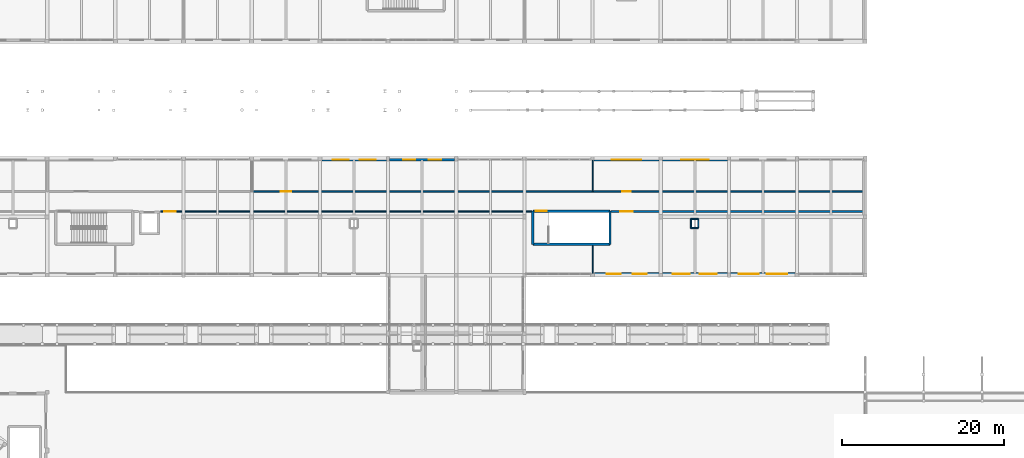
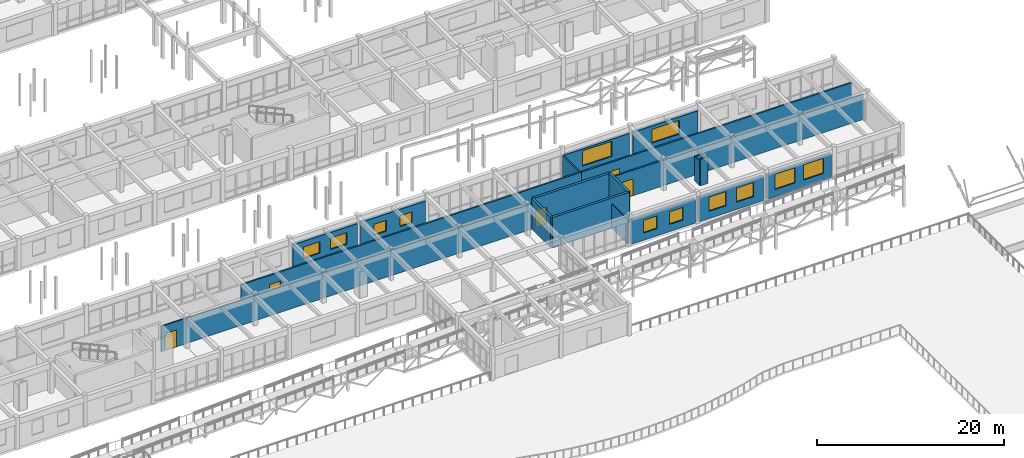
# One storey, part 70 of 90: 21 walls, 12 windows, 5 doors, 17 openings.
"""IFC4 building model written with IfcOpenShell, lengths in metres."""

from ifc_helpers import new_model, si_unit, direction, frame, frame_2d, origin, place, context, subcontext, project, spatial, rectangle, extrude, material, layer, layer_set, type_object, element, fill, save


model = new_model("IFC4")

# Units and contexts
model_context = context("Model", 3, precision=1e-05, world=origin(), true_north=direction((0.0, 1.0)))
body_context = subcontext(model_context, "Body", "Model", "MODEL_VIEW")
ifc_project = project(units=[si_unit("LENGTHUNIT", "METRE"), si_unit("AREAUNIT", "SQUARE_METRE"), si_unit("VOLUMEUNIT", "CUBIC_METRE"), si_unit("PLANEANGLEUNIT", "RADIAN"), si_unit("MASSUNIT", "GRAM", prefix="KILO")], contexts=[model_context])

# Site, building, storey
site_placement = place(None, origin())
site = spatial("IfcSite", under=ifc_project, at=site_placement, CompositionType="ELEMENT")
building_placement = place(site_placement, origin())
building = spatial("IfcBuilding", under=site, at=building_placement, Name="Malvenik Polytechnic", CompositionType="ELEMENT")
storey_placement = place(building_placement, frame((0.0, 0.0, 9.300048828125)))
storey = spatial("IfcBuildingStorey", under=building, at=storey_placement, Name="L02", CompositionType="ELEMENT", Elevation=9.300048828125)

# Wall
ifc_material_1 = material(Name="Concrete C35/45", Category="concrete")
ifc_layer_1 = layer(ifc_material_1, 0.300048828125)
ifc_layer_set_1 = layer_set([ifc_layer_1], Name="Concrete C35/45")
wall_type_1 = type_object("IfcWallType", Name="ARC-CW-S300", PredefinedType="SHEAR", material=ifc_layer_set_1)
wall_1_placement = place(storey_placement, frame((93.449951171875, 54.199951171875, 0.0), z_axis=(0.0, 0.0, 1.0), x_axis=(0.0, 1.0, 0.0)))
element("IfcWall", 1, at=wall_1_placement, inside=storey, type_object=wall_type_1, Name="Stair Core Shear Wall ST-07 L02 NEAR", PredefinedType="SHEAR", context=body_context, shape_type="SweptSolid", body=[
    extrude(rectangle(XDim=4.10009765625, YDim=0.300048828125, at=frame_2d((2.050048828125, 0.0))), origin(), (0.0, 0.0, 1.0), 3.93994140625),
])

# Wall, opening, door
wall_2_placement = place(storey_placement, frame((93.449951171875, 58.300048828125, 0.0), z_axis=(0.0, 0.0, 1.0), x_axis=(1.0, 0.0, 0.0)))
wall_2 = element("IfcWall", 2, at=wall_2_placement, inside=storey, type_object=wall_type_1, Name="Stair Core Shear Wall ST-07 L02 RGHT", PredefinedType="SHEAR", context=body_context, shape_type="SweptSolid", body=[
    extrude(rectangle(XDim=9.5, YDim=0.300048828125, at=frame_2d((4.75, 0.0))), origin(), (0.0, 0.0, 1.0), 3.93994140625),
])
opening_1_placement = place(wall_2_placement, frame((0.35009765625, 0.0, 0.0)))
opening_1 = element("IfcOpeningElement", 3, at=opening_1_placement, cuts=wall_2, Name="Opening SD-01", PredefinedType="OPENING", context=body_context, shape_type="SweptSolid", body=[
    extrude(rectangle(XDim=1.35009765625, YDim=2.199951171875, at=frame_2d((0.675048828125, 1.10009765625))), frame((0.0, 0.16015625, 0.0), z_axis=(0.0, -1.0, 0.0), x_axis=(1.0, 0.0, 0.0)), (0.0, 0.0, 1.0), 0.320068359375),
])
ifc_material_2 = material(Name="Fire-rated steel stair enclosure door", Category="steel")
door_type_1 = type_object("IfcDoorType", Name="ARC-IDR-SD-01", OperationType="NOTDEFINED", PredefinedType="DOOR", material=ifc_material_2)
door_1_placement = place(opening_1_placement, origin())
door_1 = element("IfcDoor", 4, at=door_1_placement, inside=storey, type_object=door_type_1, Name="Fire Stair Door ST-07 L02", OperationType="SINGLE_SWING_LEFT", OverallHeight=2.199951171875, OverallWidth=1.35009765625, PredefinedType="DOOR", context=body_context, shape_type="SweptSolid", body=[
    extrude(rectangle(XDim=1.35009765625, YDim=2.199951171875, at=frame_2d((0.675048828125, 1.10009765625))), frame((0.0, 0.02490234375, 0.0), z_axis=(0.0, -1.0, 0.0), x_axis=(1.0, 0.0, 0.0)), (0.0, 0.0, 1.0), 0.050048828125),
])
fill(opening_1, door_1)

# Walls
wall_3_placement = place(storey_placement, frame((102.949951171875, 58.300048828125, 0.0), z_axis=(0.0, 0.0, 1.0), x_axis=(0.0, -1.0, 0.0)))
element("IfcWall", 5, at=wall_3_placement, inside=storey, type_object=wall_type_1, Name="Stair Core Shear Wall ST-07 L02 FAR", PredefinedType="SHEAR", context=body_context, shape_type="SweptSolid", body=[
    extrude(rectangle(XDim=4.10009765625, YDim=0.300048828125, at=frame_2d((2.050048828125, 0.0))), origin(), (0.0, 0.0, 1.0), 3.93994140625),
])
wall_4_placement = place(storey_placement, frame((102.949951171875, 54.199951171875, 0.0), z_axis=(0.0, 0.0, 1.0), x_axis=(-1.0, 0.0, 0.0)))
element("IfcWall", 6, at=wall_4_placement, inside=storey, type_object=wall_type_1, Name="Stair Core Shear Wall ST-07 L02 LEFT", PredefinedType="SHEAR", context=body_context, shape_type="SweptSolid", body=[
    extrude(rectangle(XDim=9.5, YDim=0.300048828125, at=frame_2d((4.75, 0.0))), origin(), (0.0, 0.0, 1.0), 3.93994140625),
])

# Wall, openings, windows
ifc_material_3 = material(Name="Concrete C30/37", Category="concrete")
ifc_layer_2 = layer(ifc_material_3, 0.340087890625)
ifc_layer_set_2 = layer_set([ifc_layer_2], Name="Concrete C30/37")
wall_type_2 = type_object("IfcWallType", Name="ARC-EW-340", PredefinedType="SOLIDWALL", material=ifc_layer_set_2)
wall_5_placement = place(storey_placement, frame((67.447998046875, 64.6298828125, 0.0), z_axis=(0.0, 0.0, 1.0), x_axis=(1.0, 0.0, 0.0)))
wall_5 = element("IfcWall", 7, at=wall_5_placement, inside=storey, type_object=wall_type_2, Name="External Facade Wall EW-02 L02 #284", PredefinedType="SOLIDWALL", context=body_context, shape_type="SweptSolid", body=[
    extrude(rectangle(XDim=7.9541015625, YDim=0.340087890625, at=frame_2d((3.97705078125, 0.0))), origin(), (0.0, 0.0, 1.0), 3.179931640625),
])
opening_2_placement = place(wall_5_placement, frame((1.318115234375, 0.0, 0.949951171875)))
opening_2 = element("IfcOpeningElement", 8, at=opening_2_placement, cuts=wall_5, Name="Opening W-13", PredefinedType="OPENING", context=body_context, shape_type="SweptSolid", body=[
    extrude(rectangle(XDim=2.0, YDim=1.5, at=frame_2d((1.0, 0.75))), frame((0.0, 0.18017578125, 0.0), z_axis=(0.0, -1.0, 0.0), x_axis=(1.0, 0.0, 0.0)), (0.0, 0.0, 1.0), 0.360107421875),
])
opening_3_placement = place(wall_5_placement, frame((4.635986328125, 0.0, 0.949951171875)))
opening_3 = element("IfcOpeningElement", 9, at=opening_3_placement, cuts=wall_5, Name="Opening W-13", PredefinedType="OPENING", context=body_context, shape_type="SweptSolid", body=[
    extrude(rectangle(XDim=2.0, YDim=1.5, at=frame_2d((1.0, 0.75))), frame((0.0, 0.18017578125, 0.0), z_axis=(0.0, -1.0, 0.0), x_axis=(1.0, 0.0, 0.0)), (0.0, 0.0, 1.0), 0.360107421875),
])
ifc_material_4 = material(Name="Thermally broken aluminium frame with low-E double glazing", Category="aluminium")
window_type_1 = type_object("IfcWindowType", Name="ARC-WIN-W-13", PartitioningType="SINGLE_PANEL", PredefinedType="WINDOW", material=ifc_material_4)
window_1_placement = place(opening_2_placement, origin())
window_1 = element("IfcWindow", 10, at=window_1_placement, inside=storey, type_object=window_type_1, Name="Punched Window W-13 L02 #253", OverallHeight=1.5, OverallWidth=2.0, PartitioningType="SINGLE_PANEL", PredefinedType="WINDOW", context=body_context, shape_type="SweptSolid", body=[
    extrude(rectangle(XDim=2.0, YDim=1.5, at=frame_2d((1.0, 0.75))), frame((0.0, 0.030029296875, 0.0), z_axis=(0.0, -1.0, 0.0), x_axis=(1.0, 0.0, 0.0)), (0.0, 0.0, 1.0), 0.06005859375),
])
fill(opening_2, window_1)
window_2_placement = place(opening_3_placement, origin())
window_2 = element("IfcWindow", 11, at=window_2_placement, inside=storey, type_object=window_type_1, Name="Punched Window W-13 L02 #254", OverallHeight=1.5, OverallWidth=2.0, PartitioningType="SINGLE_PANEL", PredefinedType="WINDOW", context=body_context, shape_type="SweptSolid", body=[
    extrude(rectangle(XDim=2.0, YDim=1.5, at=frame_2d((1.0, 0.75))), frame((0.0, 0.030029296875, 0.0), z_axis=(0.0, -1.0, 0.0), x_axis=(1.0, 0.0, 0.0)), (0.0, 0.0, 1.0), 0.06005859375),
])
fill(opening_3, window_2)

wall_6_placement = place(storey_placement, frame((75.798095703125, 64.6298828125, 0.0), z_axis=(0.0, 0.0, 1.0), x_axis=(1.0, 0.0, 0.0)))
wall_6 = element("IfcWall", 12, at=wall_6_placement, inside=storey, type_object=wall_type_2, Name="External Facade Wall EW-02 L02 #285", PredefinedType="SOLIDWALL", context=body_context, shape_type="SweptSolid", body=[
    extrude(rectangle(XDim=8.00390625, YDim=0.340087890625, at=frame_2d((4.001953125, 0.0))), origin(), (0.0, 0.0, 1.0), 3.179931640625),
])
opening_4_placement = place(wall_6_placement, frame((1.66796875, 0.0, 0.949951171875)))
opening_4 = element("IfcOpeningElement", 13, at=opening_4_placement, cuts=wall_6, Name="Opening W-15", PredefinedType="OPENING", context=body_context, shape_type="SweptSolid", body=[
    extrude(rectangle(XDim=1.5, YDim=1.39990234375, at=frame_2d((0.75, 0.699951171875))), frame((0.0, 0.18017578125, 0.0), z_axis=(0.0, -1.0, 0.0), x_axis=(1.0, 0.0, 0.0)), (0.0, 0.0, 1.0), 0.360107421875),
])
opening_5_placement = place(wall_6_placement, frame((4.8359375, 0.0, 0.949951171875)))
opening_5 = element("IfcOpeningElement", 14, at=opening_5_placement, cuts=wall_6, Name="Opening W-15", PredefinedType="OPENING", context=body_context, shape_type="SweptSolid", body=[
    extrude(rectangle(XDim=1.5, YDim=1.39990234375, at=frame_2d((0.75, 0.699951171875))), frame((0.0, 0.18017578125, 0.0), z_axis=(0.0, -1.0, 0.0), x_axis=(1.0, 0.0, 0.0)), (0.0, 0.0, 1.0), 0.360107421875),
])
window_type_2 = type_object("IfcWindowType", Name="ARC-WIN-W-15", PartitioningType="SINGLE_PANEL", PredefinedType="WINDOW", material=ifc_material_4)
window_3_placement = place(opening_4_placement, origin())
window_3 = element("IfcWindow", 15, at=window_3_placement, inside=storey, type_object=window_type_2, Name="Punched Window W-15 L02 #255", OverallHeight=1.39990234375, OverallWidth=1.5, PartitioningType="SINGLE_PANEL", PredefinedType="WINDOW", context=body_context, shape_type="SweptSolid", body=[
    extrude(rectangle(XDim=1.5, YDim=1.39990234375, at=frame_2d((0.75, 0.699951171875))), frame((0.0, 0.030029296875, 0.0), z_axis=(0.0, -1.0, 0.0), x_axis=(1.0, 0.0, 0.0)), (0.0, 0.0, 1.0), 0.06005859375),
])
fill(opening_4, window_3)
window_4_placement = place(opening_5_placement, origin())
window_4 = element("IfcWindow", 16, at=window_4_placement, inside=storey, type_object=window_type_2, Name="Punched Window W-15 L02 #256", OverallHeight=1.39990234375, OverallWidth=1.5, PartitioningType="SINGLE_PANEL", PredefinedType="WINDOW", context=body_context, shape_type="SweptSolid", body=[
    extrude(rectangle(XDim=1.5, YDim=1.39990234375, at=frame_2d((0.75, 0.699951171875))), frame((0.0, 0.030029296875, 0.0), z_axis=(0.0, -1.0, 0.0), x_axis=(1.0, 0.0, 0.0)), (0.0, 0.0, 1.0), 0.06005859375),
])
fill(opening_5, window_4)

# Wall, opening, window
wall_7_placement = place(storey_placement, frame((100.998046875, 64.6298828125, 0.0), z_axis=(0.0, 0.0, 1.0), x_axis=(1.0, 0.0, 0.0)))
wall_7 = element("IfcWall", 17, at=wall_7_placement, inside=storey, type_object=wall_type_2, Name="External Facade Wall EW-02 L02 #286", PredefinedType="SOLIDWALL", context=body_context, shape_type="SweptSolid", body=[
    extrude(rectangle(XDim=7.97900390625, YDim=0.340087890625, at=frame_2d((3.989501953125, 0.0))), origin(), (0.0, 0.0, 1.0), 3.179931640625),
])
opening_6_placement = place(wall_7_placement, frame((2.189453125, 0.0, 0.949951171875)))
opening_6 = element("IfcOpeningElement", 18, at=opening_6_placement, cuts=wall_7, Name="Opening W-17", PredefinedType="OPENING", context=body_context, shape_type="SweptSolid", body=[
    extrude(rectangle(XDim=3.60009765625, YDim=1.97998046875, at=frame_2d((1.800048828125, 0.989990234375))), frame((0.0, 0.18017578125, 0.0), z_axis=(0.0, -1.0, 0.0), x_axis=(1.0, 0.0, 0.0)), (0.0, 0.0, 1.0), 0.360107421875),
])
window_type_3 = type_object("IfcWindowType", Name="ARC-WIN-W-17", PartitioningType="SINGLE_PANEL", PredefinedType="WINDOW", material=ifc_material_4)
window_5_placement = place(opening_6_placement, origin())
window_5 = element("IfcWindow", 19, at=window_5_placement, inside=storey, type_object=window_type_3, Name="Punched Window W-17 L02 #257", OverallHeight=1.97998046875, OverallWidth=3.60009765625, PartitioningType="SINGLE_PANEL", PredefinedType="WINDOW", context=body_context, shape_type="SweptSolid", body=[
    extrude(rectangle(XDim=3.60009765625, YDim=1.97998046875, at=frame_2d((1.800048828125, 0.989990234375))), frame((0.0, 0.030029296875, 0.0), z_axis=(0.0, -1.0, 0.0), x_axis=(1.0, 0.0, 0.0)), (0.0, 0.0, 1.0), 0.06005859375),
])
fill(opening_6, window_5)

wall_8_placement = place(storey_placement, frame((109.423095703125, 64.6298828125, 0.0), z_axis=(0.0, 0.0, 1.0), x_axis=(1.0, 0.0, 0.0)))
wall_8 = element("IfcWall", 20, at=wall_8_placement, inside=storey, type_object=wall_type_2, Name="External Facade Wall EW-02 L02 #287", PredefinedType="SOLIDWALL", context=body_context, shape_type="SweptSolid", body=[
    extrude(rectangle(XDim=7.97900390625, YDim=0.340087890625, at=frame_2d((3.989501953125, 0.0))), origin(), (0.0, 0.0, 1.0), 3.179931640625),
])
opening_7_placement = place(wall_8_placement, frame((2.28955078125, 0.0, 0.949951171875)))
opening_7 = element("IfcOpeningElement", 21, at=opening_7_placement, cuts=wall_8, Name="Opening W-18", PredefinedType="OPENING", context=body_context, shape_type="SweptSolid", body=[
    extrude(rectangle(XDim=3.39990234375, YDim=1.800048828125, at=frame_2d((1.699951171875, 0.89990234375))), frame((0.0, 0.18017578125, 0.0), z_axis=(0.0, -1.0, 0.0), x_axis=(1.0, 0.0, 0.0)), (0.0, 0.0, 1.0), 0.360107421875),
])
window_type_4 = type_object("IfcWindowType", Name="ARC-WIN-W-18", PartitioningType="SINGLE_PANEL", PredefinedType="WINDOW", material=ifc_material_4)
window_6_placement = place(opening_7_placement, origin())
window_6 = element("IfcWindow", 22, at=window_6_placement, inside=storey, type_object=window_type_4, Name="Punched Window W-18 L02 #258", OverallHeight=1.800048828125, OverallWidth=3.39990234375, PartitioningType="SINGLE_PANEL", PredefinedType="WINDOW", context=body_context, shape_type="SweptSolid", body=[
    extrude(rectangle(XDim=3.39990234375, YDim=1.800048828125, at=frame_2d((1.699951171875, 0.89990234375))), frame((0.0, 0.030029296875, 0.0), z_axis=(0.0, -1.0, 0.0), x_axis=(1.0, 0.0, 0.0)), (0.0, 0.0, 1.0), 0.06005859375),
])
fill(opening_7, window_6)

# Wall, openings, windows
wall_9_placement = place(storey_placement, frame((125.777099609375, 50.570068359375, 0.0), z_axis=(0.0, 0.0, 1.0), x_axis=(-1.0, 0.0, 0.0)))
wall_9 = element("IfcWall", 23, at=wall_9_placement, inside=storey, type_object=wall_type_2, Name="External Facade Wall EW-02 L02 #291", PredefinedType="SOLIDWALL", context=body_context, shape_type="SweptSolid", body=[
    extrude(rectangle(XDim=7.97900390625, YDim=0.340087890625, at=frame_2d((3.989501953125, 0.0))), origin(), (0.0, 0.0, 1.0), 3.179931640625),
])
opening_8_placement = place(wall_9_placement, frame((0.992919921875, 0.0, 0.949951171875)))
opening_8 = element("IfcOpeningElement", 24, at=opening_8_placement, cuts=wall_9, Name="Opening W-21", PredefinedType="OPENING", context=body_context, shape_type="SweptSolid", body=[
    extrude(rectangle(XDim=2.5, YDim=1.97998046875, at=frame_2d((1.25, 0.989990234375))), frame((0.0, 0.18017578125, 0.0), z_axis=(0.0, -1.0, 0.0), x_axis=(1.0, 0.0, 0.0)), (0.0, 0.0, 1.0), 0.360107421875),
])
opening_9_placement = place(wall_9_placement, frame((4.486083984375, 0.0, 0.949951171875)))
opening_9 = element("IfcOpeningElement", 25, at=opening_9_placement, cuts=wall_9, Name="Opening W-21", PredefinedType="OPENING", context=body_context, shape_type="SweptSolid", body=[
    extrude(rectangle(XDim=2.5, YDim=1.97998046875, at=frame_2d((1.25, 0.989990234375))), frame((0.0, 0.18017578125, 0.0), z_axis=(0.0, -1.0, 0.0), x_axis=(1.0, 0.0, 0.0)), (0.0, 0.0, 1.0), 0.360107421875),
])
window_type_5 = type_object("IfcWindowType", Name="ARC-WIN-W-21", PartitioningType="SINGLE_PANEL", PredefinedType="WINDOW", material=ifc_material_4)
window_7_placement = place(opening_8_placement, origin())
window_7 = element("IfcWindow", 26, at=window_7_placement, inside=storey, type_object=window_type_5, Name="Punched Window W-21 L02 #261", OverallHeight=1.97998046875, OverallWidth=2.5, PartitioningType="SINGLE_PANEL", PredefinedType="WINDOW", context=body_context, shape_type="SweptSolid", body=[
    extrude(rectangle(XDim=2.5, YDim=1.97998046875, at=frame_2d((1.25, 0.989990234375))), frame((0.0, 0.030029296875, 0.0), z_axis=(0.0, -1.0, 0.0), x_axis=(1.0, 0.0, 0.0)), (0.0, 0.0, 1.0), 0.06005859375),
])
fill(opening_8, window_7)
window_8_placement = place(opening_9_placement, origin())
window_8 = element("IfcWindow", 27, at=window_8_placement, inside=storey, type_object=window_type_5, Name="Punched Window W-21 L02 #262", OverallHeight=1.97998046875, OverallWidth=2.5, PartitioningType="SINGLE_PANEL", PredefinedType="WINDOW", context=body_context, shape_type="SweptSolid", body=[
    extrude(rectangle(XDim=2.5, YDim=1.97998046875, at=frame_2d((1.25, 0.989990234375))), frame((0.0, 0.030029296875, 0.0), z_axis=(0.0, -1.0, 0.0), x_axis=(1.0, 0.0, 0.0)), (0.0, 0.0, 1.0), 0.06005859375),
])
fill(opening_9, window_8)

wall_10_placement = place(storey_placement, frame((117.402099609375, 50.570068359375, 0.0), z_axis=(0.0, 0.0, 1.0), x_axis=(-1.0, 0.0, 0.0)))
wall_10 = element("IfcWall", 28, at=wall_10_placement, inside=storey, type_object=wall_type_2, Name="External Facade Wall EW-02 L02 #292", PredefinedType="SOLIDWALL", context=body_context, shape_type="SweptSolid", body=[
    extrude(rectangle(XDim=8.004150390625, YDim=0.340087890625, at=frame_2d((4.001953125, 0.0))), origin(), (0.0, 0.0, 1.0), 3.179931640625),
])
opening_10_placement = place(wall_10_placement, frame((1.26806640625, 0.0, 0.949951171875)))
opening_10 = element("IfcOpeningElement", 29, at=opening_10_placement, cuts=wall_10, Name="Opening W-23", PredefinedType="OPENING", context=body_context, shape_type="SweptSolid", body=[
    extrude(rectangle(XDim=2.10009765625, YDim=1.85009765625, at=frame_2d((1.050048828125, 0.925048828125))), frame((0.0, 0.18017578125, 0.0), z_axis=(0.0, -1.0, 0.0), x_axis=(1.0, 0.0, 0.0)), (0.0, 0.0, 1.0), 0.360107421875),
])
opening_11_placement = place(wall_10_placement, frame((4.635986328125, 0.0, 0.949951171875)))
opening_11 = element("IfcOpeningElement", 30, at=opening_11_placement, cuts=wall_10, Name="Opening W-23", PredefinedType="OPENING", context=body_context, shape_type="SweptSolid", body=[
    extrude(rectangle(XDim=2.10009765625, YDim=1.85009765625, at=frame_2d((1.050048828125, 0.925048828125))), frame((0.0, 0.18017578125, 0.0), z_axis=(0.0, -1.0, 0.0), x_axis=(1.0, 0.0, 0.0)), (0.0, 0.0, 1.0), 0.360107421875),
])
window_type_6 = type_object("IfcWindowType", Name="ARC-WIN-W-23", PartitioningType="SINGLE_PANEL", PredefinedType="WINDOW", material=ifc_material_4)
window_9_placement = place(opening_10_placement, origin())
window_9 = element("IfcWindow", 31, at=window_9_placement, inside=storey, type_object=window_type_6, Name="Punched Window W-23 L02 #263", OverallHeight=1.85009765625, OverallWidth=2.10009765625, PartitioningType="SINGLE_PANEL", PredefinedType="WINDOW", context=body_context, shape_type="SweptSolid", body=[
    extrude(rectangle(XDim=2.10009765625, YDim=1.85009765625, at=frame_2d((1.050048828125, 0.925048828125))), frame((0.0, 0.030029296875, 0.0), z_axis=(0.0, -1.0, 0.0), x_axis=(1.0, 0.0, 0.0)), (0.0, 0.0, 1.0), 0.06005859375),
])
fill(opening_10, window_9)
window_10_placement = place(opening_11_placement, origin())
window_10 = element("IfcWindow", 32, at=window_10_placement, inside=storey, type_object=window_type_6, Name="Punched Window W-23 L02 #264", OverallHeight=1.85009765625, OverallWidth=2.10009765625, PartitioningType="SINGLE_PANEL", PredefinedType="WINDOW", context=body_context, shape_type="SweptSolid", body=[
    extrude(rectangle(XDim=2.10009765625, YDim=1.85009765625, at=frame_2d((1.050048828125, 0.925048828125))), frame((0.0, 0.030029296875, 0.0), z_axis=(0.0, -1.0, 0.0), x_axis=(1.0, 0.0, 0.0)), (0.0, 0.0, 1.0), 0.06005859375),
])
fill(opening_11, window_10)

wall_11_placement = place(storey_placement, frame((109.001953125, 50.570068359375, 0.0), z_axis=(0.0, 0.0, 1.0), x_axis=(-1.0, 0.0, 0.0)))
wall_11 = element("IfcWall", 33, at=wall_11_placement, inside=storey, type_object=wall_type_2, Name="External Facade Wall EW-02 L02 #293", PredefinedType="SOLIDWALL", context=body_context, shape_type="SweptSolid", body=[
    extrude(rectangle(XDim=7.97900390625, YDim=0.340087890625, at=frame_2d((3.989501953125, 0.0))), origin(), (0.0, 0.0, 1.0), 3.179931640625),
])
opening_12_placement = place(wall_11_placement, frame((1.5263671875, 0.0, 0.949951171875)))
opening_12 = element("IfcOpeningElement", 34, at=opening_12_placement, cuts=wall_11, Name="Opening W-25", PredefinedType="OPENING", context=body_context, shape_type="SweptSolid", body=[
    extrude(rectangle(XDim=1.699951171875, YDim=1.64990234375, at=frame_2d((0.85009765625, 0.824951171875))), frame((0.0, 0.18017578125, 0.0), z_axis=(0.0, -1.0, 0.0), x_axis=(1.0, 0.0, 0.0)), (0.0, 0.0, 1.0), 0.360107421875),
])
opening_13_placement = place(wall_11_placement, frame((4.752685546875, 0.0, 0.949951171875)))
opening_13 = element("IfcOpeningElement", 35, at=opening_13_placement, cuts=wall_11, Name="Opening W-25", PredefinedType="OPENING", context=body_context, shape_type="SweptSolid", body=[
    extrude(rectangle(XDim=1.699951171875, YDim=1.64990234375, at=frame_2d((0.85009765625, 0.824951171875))), frame((0.0, 0.18017578125, 0.0), z_axis=(0.0, -1.0, 0.0), x_axis=(1.0, 0.0, 0.0)), (0.0, 0.0, 1.0), 0.360107421875),
])
window_type_7 = type_object("IfcWindowType", Name="ARC-WIN-W-25", PartitioningType="SINGLE_PANEL", PredefinedType="WINDOW", material=ifc_material_4)
window_11_placement = place(opening_12_placement, origin())
window_11 = element("IfcWindow", 36, at=window_11_placement, inside=storey, type_object=window_type_7, Name="Punched Window W-25 L02 #265", OverallHeight=1.64990234375, OverallWidth=1.699951171875, PartitioningType="SINGLE_PANEL", PredefinedType="WINDOW", context=body_context, shape_type="SweptSolid", body=[
    extrude(rectangle(XDim=1.699951171875, YDim=1.64990234375, at=frame_2d((0.85009765625, 0.824951171875))), frame((0.0, 0.030029296875, 0.0), z_axis=(0.0, -1.0, 0.0), x_axis=(1.0, 0.0, 0.0)), (0.0, 0.0, 1.0), 0.06005859375),
])
fill(opening_12, window_11)
window_12_placement = place(opening_13_placement, origin())
window_12 = element("IfcWindow", 37, at=window_12_placement, inside=storey, type_object=window_type_7, Name="Punched Window W-25 L02 #266", OverallHeight=1.64990234375, OverallWidth=1.699951171875, PartitioningType="SINGLE_PANEL", PredefinedType="WINDOW", context=body_context, shape_type="SweptSolid", body=[
    extrude(rectangle(XDim=1.699951171875, YDim=1.64990234375, at=frame_2d((0.85009765625, 0.824951171875))), frame((0.0, 0.030029296875, 0.0), z_axis=(0.0, -1.0, 0.0), x_axis=(1.0, 0.0, 0.0)), (0.0, 0.0, 1.0), 0.06005859375),
])
fill(opening_13, window_12)

# Wall, opening, door
ifc_material_5 = material(Name="Calcium silicate fire-rated blockwork 200mm", Category="masonry")
ifc_layer_3 = layer(ifc_material_5, 0.199951171875)
ifc_layer_set_3 = layer_set([ifc_layer_3], Name="Calcium silicate fire-rated blockwork 200mm")
wall_type_3 = type_object("IfcWallType", Name="ARC-FW-200", PredefinedType="SOLIDWALL", material=ifc_layer_set_3)
wall_12_placement = place(storey_placement, frame((58.800048828125, 60.699951171875, 0.0), z_axis=(0.0, 0.0, 1.0), x_axis=(1.0, 0.0, 0.0)))
wall_12 = element("IfcWall", 38, at=wall_12_placement, inside=storey, type_object=wall_type_3, Name="Interior Partition FW-02 L02 #288", PredefinedType="SOLIDWALL", context=body_context, shape_type="SweptSolid", body=[
    extrude(rectangle(XDim=42.0, YDim=0.199951171875, at=frame_2d((21.0, 0.0))), origin(), (0.0, 0.0, 1.0), 3.324951171875),
])
opening_14_placement = place(wall_12_placement, frame((3.550048828125, 0.0, 0.0)))
opening_14 = element("IfcOpeningElement", 39, at=opening_14_placement, cuts=wall_12, Name="Opening FD-04", PredefinedType="OPENING", context=body_context, shape_type="SweptSolid", body=[
    extrude(rectangle(XDim=1.300048828125, YDim=2.14990234375, at=frame_2d((0.64990234375, 1.074951171875))), frame((0.0, 0.10986328125, 0.0), z_axis=(0.0, -1.0, 0.0), x_axis=(1.0, 0.0, 0.0)), (0.0, 0.0, 1.0), 0.219970703125),
])
ifc_material_6 = material(Name="Fire-rated plant room steel door", Category="steel")
door_type_2 = type_object("IfcDoorType", Name="ARC-IDR-FD-04", OperationType="NOTDEFINED", PredefinedType="DOOR", material=ifc_material_6)
door_2_placement = place(opening_14_placement, origin())
door_2 = element("IfcDoor", 40, at=door_2_placement, inside=storey, type_object=door_type_2, Name="Interior Door FD-04 L02 #122", OperationType="SINGLE_SWING_LEFT", OverallHeight=2.14990234375, OverallWidth=1.300048828125, PredefinedType="DOOR", context=body_context, shape_type="SweptSolid", body=[
    extrude(rectangle(XDim=1.300048828125, YDim=2.14990234375, at=frame_2d((0.64990234375, 1.074951171875))), frame((0.0, 0.02490234375, 0.0), z_axis=(0.0, -1.0, 0.0), x_axis=(1.0, 0.0, 0.0)), (0.0, 0.0, 1.0), 0.050048828125),
])
fill(opening_14, door_2)

wall_13_placement = place(storey_placement, frame((100.800048828125, 60.699951171875, 0.0), z_axis=(0.0, 0.0, 1.0), x_axis=(1.0, 0.0, 0.0)))
wall_13 = element("IfcWall", 41, at=wall_13_placement, inside=storey, type_object=wall_type_3, Name="Interior Partition FW-02 L02 #290", PredefinedType="SOLIDWALL", context=body_context, shape_type="SweptSolid", body=[
    extrude(rectangle(XDim=33.3798828125, YDim=0.199951171875, at=frame_2d((16.68994140625, 0.0))), origin(), (0.0, 0.0, 1.0), 3.324951171875),
])
opening_15_placement = place(wall_13_placement, frame((3.675048828125, 0.0, 0.0)))
opening_15 = element("IfcOpeningElement", 42, at=opening_15_placement, cuts=wall_13, Name="Opening FD-05", PredefinedType="OPENING", context=body_context, shape_type="SweptSolid", body=[
    extrude(rectangle(XDim=1.050048828125, YDim=2.14990234375, at=frame_2d((0.52490234375, 1.074951171875))), frame((0.0, 0.10986328125, 0.0), z_axis=(0.0, -1.0, 0.0), x_axis=(1.0, 0.0, 0.0)), (0.0, 0.0, 1.0), 0.219970703125),
])
ifc_material_7 = material(Name="Fire-rated archive room door", Category="steel")
door_type_3 = type_object("IfcDoorType", Name="ARC-IDR-FD-05", OperationType="NOTDEFINED", PredefinedType="DOOR", material=ifc_material_7)
door_3_placement = place(opening_15_placement, origin())
door_3 = element("IfcDoor", 43, at=door_3_placement, inside=storey, type_object=door_type_3, Name="Interior Door FD-05 L02 #123", OperationType="SINGLE_SWING_RIGHT", OverallHeight=2.14990234375, OverallWidth=1.050048828125, PredefinedType="DOOR", context=body_context, shape_type="SweptSolid", body=[
    extrude(rectangle(XDim=1.050048828125, YDim=2.14990234375, at=frame_2d((0.52490234375, 1.074951171875))), frame((0.0, 0.02490234375, 0.0), z_axis=(0.0, -1.0, 0.0), x_axis=(1.0, 0.0, 0.0)), (0.0, 0.0, 1.0), 0.050048828125),
])
fill(opening_15, door_3)

wall_14_placement = place(storey_placement, frame((134.179931640625, 58.25, 0.0), z_axis=(0.0, 0.0, 1.0), x_axis=(-1.0, 0.0, 0.0)))
wall_14 = element("IfcWall", 44, at=wall_14_placement, inside=storey, type_object=wall_type_3, Name="Interior Partition FW-02 L02 #296", PredefinedType="SOLIDWALL", context=body_context, shape_type="SweptSolid", body=[
    extrude(rectangle(XDim=31.08984375, YDim=0.199951171875, at=frame_2d((15.544921875, 0.0))), origin(), (0.0, 0.0, 1.0), 3.324951171875),
])
opening_16_placement = place(wall_14_placement, frame((28.405029296875, 0.0, 0.0)))
opening_16 = element("IfcOpeningElement", 45, at=opening_16_placement, cuts=wall_14, Name="Opening FD-09", PredefinedType="OPENING", context=body_context, shape_type="SweptSolid", body=[
    extrude(rectangle(XDim=1.550048828125, YDim=2.199951171875, at=frame_2d((0.77490234375, 1.10009765625))), frame((0.0, 0.10986328125, 0.0), z_axis=(0.0, -1.0, 0.0), x_axis=(1.0, 0.0, 0.0)), (0.0, 0.0, 1.0), 0.219970703125),
])
ifc_material_8 = material(Name="Fire-rated studio corridor double door", Category="steel")
door_type_4 = type_object("IfcDoorType", Name="ARC-IDR-FD-09", OperationType="NOTDEFINED", PredefinedType="DOOR", material=ifc_material_8)
door_4_placement = place(opening_16_placement, origin())
door_4 = element("IfcDoor", 46, at=door_4_placement, inside=storey, type_object=door_type_4, Name="Interior Door FD-09 L02 #126", OperationType="DOUBLE_DOOR_SINGLE_SWING", OverallHeight=2.199951171875, OverallWidth=1.550048828125, PredefinedType="DOOR", context=body_context, shape_type="SweptSolid", body=[
    extrude(rectangle(XDim=1.550048828125, YDim=2.199951171875, at=frame_2d((0.77490234375, 1.10009765625))), frame((0.0, 0.02490234375, 0.0), z_axis=(0.0, -1.0, 0.0), x_axis=(1.0, 0.0, 0.0)), (0.0, 0.0, 1.0), 0.050048828125),
])
fill(opening_16, door_4)

# Walls
ifc_material_9 = material(Name="Metal-stud gypsum board partition 125mm", Category="gypsum")
ifc_layer_4 = layer(ifc_material_9, 0.125)
ifc_layer_set_4 = layer_set([ifc_layer_4], Name="Metal-stud gypsum board partition 125mm")
wall_type_4 = type_object("IfcWallType", Name="ARC-PW-125", PredefinedType="PARTITIONING", material=ifc_layer_set_4)
wall_15_placement = place(storey_placement, frame((100.800048828125, 60.699951171875, 0.0), z_axis=(0.0, 0.0, 1.0), x_axis=(0.0, 1.0, 0.0)))
element("IfcWall", 47, at=wall_15_placement, inside=storey, type_object=wall_type_4, Name="Interior Partition PW-03I L02 #289", PredefinedType="PARTITIONING", context=body_context, shape_type="SweptSolid", body=[
    extrude(rectangle(XDim=3.880126953125, YDim=0.125, at=frame_2d((1.93994140625, 0.0))), origin(), (0.0, 0.0, 1.0), 3.175048828125),
])
wall_16_placement = place(storey_placement, frame((100.800048828125, 50.64501953125, 0.0), z_axis=(0.0, 0.0, 1.0), x_axis=(0.0, 1.0, 0.0)))
element("IfcWall", 48, at=wall_16_placement, inside=storey, type_object=wall_type_4, Name="Interior Partition PW-03I L02 #295", PredefinedType="PARTITIONING", context=body_context, shape_type="SweptSolid", body=[
    extrude(rectangle(XDim=3.4150390625, YDim=0.125, at=frame_2d((1.70751953125, 0.0))), origin(), (0.0, 0.0, 1.0), 3.175048828125),
])
ifc_material_10 = material(Name="Double-stud acoustic gypsum board partition 160mm", Category="gypsum")
ifc_layer_5 = layer(ifc_material_10, 0.159912109375)
ifc_layer_set_5 = layer_set([ifc_layer_5], Name="Double-stud acoustic gypsum board partition 160mm")
wall_type_5 = type_object("IfcWallType", Name="ARC-PW-160", PredefinedType="PARTITIONING", material=ifc_layer_set_5)
wall_17_placement = place(storey_placement, frame((112.919921875, 56.219970703125, 0.0), z_axis=(0.0, 0.0, 1.0), x_axis=(1.0, 0.0, 0.0)))
element("IfcWall", 49, at=wall_17_placement, inside=storey, type_object=wall_type_5, Name="Riser Shaft Enclosure L02 #36S", PredefinedType="PARTITIONING", context=body_context, shape_type="SweptSolid", body=[
    extrude(rectangle(XDim=0.91015625, YDim=0.159912109375, at=frame_2d((0.455078125, 0.0))), origin(), (0.0, 0.0, 1.0), 3.474853515625),
])
wall_18_placement = place(storey_placement, frame((113.830078125, 57.330078125, 0.0), z_axis=(0.0, 0.0, 1.0), x_axis=(-1.0, 0.0, 0.0)))
element("IfcWall", 50, at=wall_18_placement, inside=storey, type_object=wall_type_5, Name="Riser Shaft Enclosure L02 #36N", PredefinedType="PARTITIONING", context=body_context, shape_type="SweptSolid", body=[
    extrude(rectangle(XDim=0.91015625, YDim=0.159912109375, at=frame_2d((0.455078125, 0.0))), origin(), (0.0, 0.0, 1.0), 3.175048828125),
])
for number, where, z_axis, x_axis, name in (
    (51, (112.919921875, 57.330078125, 0.0), (0.0, 0.0, 1.0), (0.0, -1.0, 0.0), "Riser Shaft Enclosure L02 #36W"),
    (52, (113.830078125, 56.219970703125, 0.0), (0.0, 0.0, 1.0), (0.0, 1.0, 0.0), "Riser Shaft Enclosure L02 #36E"),
):
    element("IfcWall", number, at=place(storey_placement, frame(where, z_axis=z_axis, x_axis=x_axis)), inside=storey, type_object=wall_type_5, Name=name, PredefinedType="PARTITIONING", context=body_context, shape_type="SweptSolid", body=[
        extrude(rectangle(XDim=1.110107421875, YDim=0.159912109375, at=frame_2d((0.55517578125, 0.0))), origin(), (0.0, 0.0, 1.0), 3.175048828125),
    ])

# Wall, opening, door
wall_19_placement = place(storey_placement, frame((93.31005859375, 58.25, 0.0), z_axis=(0.0, 0.0, 1.0), x_axis=(-1.0, 0.0, 0.0)))
wall_19 = element("IfcWall", 53, at=wall_19_placement, inside=storey, type_object=wall_type_5, Name="Interior Partition PW-01I L02 #293", PredefinedType="PARTITIONING", context=body_context, shape_type="SweptSolid", body=[
    extrude(rectangle(XDim=45.739990234375, YDim=0.159912109375, at=frame_2d((22.8701171875, 0.0))), origin(), (0.0, 0.0, 1.0), 3.324951171875),
])
opening_17_placement = place(wall_19_placement, frame((43.840087890625, 0.0, 0.0)))
opening_17 = element("IfcOpeningElement", 54, at=opening_17_placement, cuts=wall_19, Name="Opening FD-08", PredefinedType="OPENING", context=body_context, shape_type="SweptSolid", body=[
    extrude(rectangle(XDim=1.449951171875, YDim=2.199951171875, at=frame_2d((0.72509765625, 1.10009765625))), frame((0.0, 0.08984375, 0.0), z_axis=(0.0, -1.0, 0.0), x_axis=(1.0, 0.0, 0.0)), (0.0, 0.0, 1.0), 0.179931640625),
])
ifc_material_11 = material(Name="Fire-rated seminar corridor door", Category="steel")
door_type_5 = type_object("IfcDoorType", Name="ARC-IDR-FD-08", OperationType="NOTDEFINED", PredefinedType="DOOR", material=ifc_material_11)
door_5_placement = place(opening_17_placement, origin())
door_5 = element("IfcDoor", 55, at=door_5_placement, inside=storey, type_object=door_type_5, Name="Interior Door FD-08 L02 #125", OperationType="SINGLE_SWING_RIGHT", OverallHeight=2.199951171875, OverallWidth=1.449951171875, PredefinedType="DOOR", context=body_context, shape_type="SweptSolid", body=[
    extrude(rectangle(XDim=1.449951171875, YDim=2.199951171875, at=frame_2d((0.72509765625, 1.10009765625))), frame((0.0, 0.02490234375, 0.0), z_axis=(0.0, -1.0, 0.0), x_axis=(1.0, 0.0, 0.0)), (0.0, 0.0, 1.0), 0.050048828125),
])
fill(opening_17, door_5)

save(model, "model.ifc")
